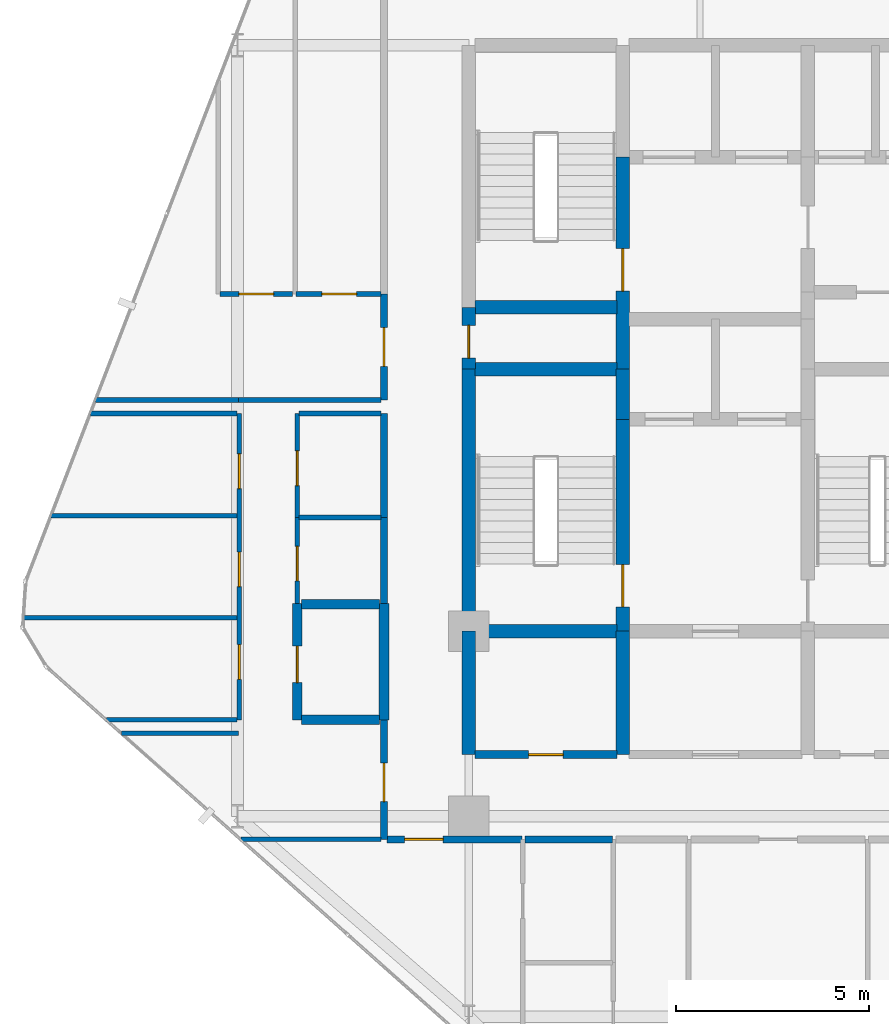
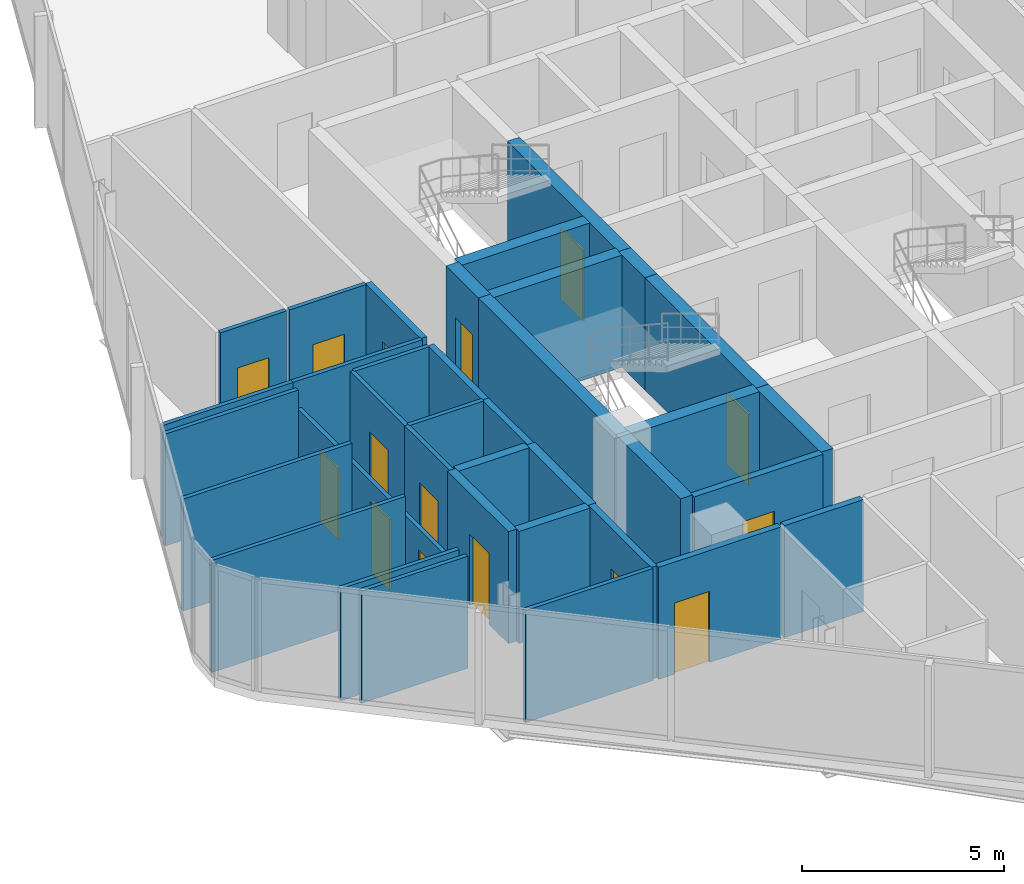
# One storey, part 23 of 29: 36 walls, 15 doors, 15 openings.
"""IFC4 building model written with IfcOpenShell, lengths in metres."""

from ifc_helpers import new_model, si_unit, direction, frame, frame_2d, origin, place, context, subcontext, project, spatial, rectangle, extrude, material, layer, layer_set, type_object, element, fill, save


model = new_model("IFC4")

# Units and contexts
model_context = context("Model", 3, precision=1e-05, world=origin(), true_north=direction((0.0, 1.0)))
body_context = subcontext(model_context, "Body", "Model", "MODEL_VIEW")
ifc_project = project(units=[si_unit("LENGTHUNIT", "METRE"), si_unit("AREAUNIT", "SQUARE_METRE"), si_unit("VOLUMEUNIT", "CUBIC_METRE"), si_unit("PLANEANGLEUNIT", "RADIAN"), si_unit("MASSUNIT", "GRAM", prefix="KILO")], contexts=[model_context])

# Site, building, storey
site_placement = place(None, origin())
site = spatial("IfcSite", under=ifc_project, at=site_placement, CompositionType="ELEMENT")
building_placement = place(site_placement, origin())
building = spatial("IfcBuilding", under=site, at=building_placement, Name="Keshet Zoharim Tower", CompositionType="ELEMENT")
storey_placement = place(building_placement, frame((0.0, 0.0, 94.60009765625)))
storey = spatial("IfcBuildingStorey", under=building, at=storey_placement, Name="L22", CompositionType="ELEMENT", Elevation=94.60009765625)

# Walls
ifc_material_1 = material(Name="Concrete C60/75", Category="concrete")
ifc_layer_1 = layer(ifc_material_1, 0.35009765625)
ifc_layer_set_1 = layer_set([ifc_layer_1], Name="Concrete C60/75")
wall_type_1 = type_object("IfcWallType", Name="WL-CORE-350", PredefinedType="SHEAR", material=ifc_layer_set_1)
wall_1_placement = place(storey_placement, frame((15.0, 19.5, 0.0), z_axis=(0.0, 0.0, 1.0), x_axis=(0.0, 1.0, 0.0)))
element("IfcWall", 1, at=wall_1_placement, inside=storey, type_object=wall_type_1, Name="L22 Core Shear Wall 013", PredefinedType="SHEAR", context=body_context, shape_type="SweptSolid", body=[
    extrude(rectangle(XDim=3.199951171875, YDim=0.35009765625, at=frame_2d((1.60009765625, 0.0))), origin(), (0.0, 0.0, 1.0), 3.385009765625),
])
wall_2_placement = place(storey_placement, frame((15.0, 22.699951171875, 0.0), z_axis=(0.0, 0.0, 1.0), x_axis=(0.0, 1.0, 0.0)))
element("IfcWall", 2, at=wall_2_placement, inside=storey, type_object=wall_type_1, Name="L22 Core Shear Wall 014", PredefinedType="SHEAR", context=body_context, shape_type="SweptSolid", body=[
    extrude(rectangle(XDim=6.800048828125, YDim=0.35009765625, at=frame_2d((3.39990234375, 0.0))), origin(), (0.0, 0.0, 1.0), 3.385009765625),
])

# Wall, opening, door
wall_3_placement = place(storey_placement, frame((15.0, 29.5, 0.0), z_axis=(0.0, 0.0, 1.0), x_axis=(0.0, 1.0, 0.0)))
wall_3 = element("IfcWall", 3, at=wall_3_placement, inside=storey, type_object=wall_type_1, Name="L22 Core Shear Wall 015", PredefinedType="SHEAR", context=body_context, shape_type="SweptSolid", body=[
    extrude(rectangle(XDim=1.60009765625, YDim=0.35009765625, at=frame_2d((0.800048828125, 0.0))), origin(), (0.0, 0.0, 1.0), 3.385009765625),
])
opening_1_placement = place(wall_3_placement, frame((0.287109375, 0.0, 0.0)))
opening_1 = element("IfcOpeningElement", 4, at=opening_1_placement, cuts=wall_3, Name="Opening D-RS85", PredefinedType="OPENING", context=body_context, shape_type="SweptSolid", body=[
    extrude(rectangle(XDim=0.85009765625, YDim=2.10009765625, at=frame_2d((0.425048828125, 1.050048828125))), frame((0.0, 0.18505859375, 0.0), z_axis=(0.0, -1.0, 0.0), x_axis=(1.0, 0.0, 0.0)), (0.0, 0.0, 1.0), 0.3701171875),
])
ifc_material_2 = material(Name="Hardwood Timber", Category="wood")
door_type_1 = type_object("IfcDoorType", Name="DR-RIS-085", OperationType="NOTDEFINED", PredefinedType="DOOR", material=ifc_material_2)
door_1_placement = place(opening_1_placement, origin())
door_1 = element("IfcDoor", 5, at=door_1_placement, inside=storey, type_object=door_type_1, Name="L22 Electrical Riser Access Cupboard Door", OperationType="SINGLE_SWING_RIGHT", OverallHeight=2.10009765625, OverallWidth=0.85009765625, PredefinedType="DOOR", context=body_context, shape_type="SweptSolid", body=[
    extrude(rectangle(XDim=0.85009765625, YDim=2.10009765625, at=frame_2d((0.425048828125, 1.050048828125))), frame((0.0, 0.02490234375, 0.0), z_axis=(0.0, -1.0, 0.0), x_axis=(1.0, 0.0, 0.0)), (0.0, 0.0, 1.0), 0.050048828125),
])
fill(opening_1, door_1)

# Wall
wall_4_placement = place(storey_placement, frame((19.0, 19.5, 0.0), z_axis=(0.0, 0.0, 1.0), x_axis=(0.0, 1.0, 0.0)))
element("IfcWall", 6, at=wall_4_placement, inside=storey, type_object=wall_type_1, Name="L22 Core Shear Wall 023", PredefinedType="SHEAR", context=body_context, shape_type="SweptSolid", body=[
    extrude(rectangle(XDim=3.199951171875, YDim=0.35009765625, at=frame_2d((1.60009765625, 0.0))), origin(), (0.0, 0.0, 1.0), 3.385009765625),
])

# Wall, opening, door
wall_5_placement = place(storey_placement, frame((19.0, 22.699951171875, 0.0), z_axis=(0.0, 0.0, 1.0), x_axis=(0.0, 1.0, 0.0)))
wall_5 = element("IfcWall", 7, at=wall_5_placement, inside=storey, type_object=wall_type_1, Name="L22 Core Shear Wall 024", PredefinedType="SHEAR", context=body_context, shape_type="SweptSolid", body=[
    extrude(rectangle(XDim=5.5, YDim=0.35009765625, at=frame_2d((2.75, 0.0))), origin(), (0.0, 0.0, 1.0), 3.385009765625),
])
opening_2_placement = place(wall_5_placement, frame((0.631103515625, 0.0, 0.0)))
opening_2 = element("IfcOpeningElement", 8, at=opening_2_placement, cuts=wall_5, Name="Opening D-F611", PredefinedType="OPENING", context=body_context, shape_type="SweptSolid", body=[
    extrude(rectangle(XDim=1.10009765625, YDim=2.14990234375, at=frame_2d((0.550048828125, 1.074951171875))), frame((0.0, 0.18505859375, 0.0), z_axis=(0.0, -1.0, 0.0), x_axis=(1.0, 0.0, 0.0)), (0.0, 0.0, 1.0), 0.3701171875),
])
door_type_2 = type_object("IfcDoorType", Name="DR-FD60-110", OperationType="NOTDEFINED", PredefinedType="DOOR", material=ifc_material_2)
door_2_placement = place(opening_2_placement, origin())
door_2 = element("IfcDoor", 9, at=door_2_placement, inside=storey, type_object=door_type_2, Name="L22 Exit Stair ST-01 Fire Door", OperationType="SINGLE_SWING_RIGHT", OverallHeight=2.14990234375, OverallWidth=1.10009765625, PredefinedType="DOOR", context=body_context, shape_type="SweptSolid", body=[
    extrude(rectangle(XDim=1.10009765625, YDim=2.14990234375, at=frame_2d((0.550048828125, 1.074951171875))), frame((0.0, 0.02490234375, 0.0), z_axis=(0.0, -1.0, 0.0), x_axis=(1.0, 0.0, 0.0)), (0.0, 0.0, 1.0), 0.050048828125),
])
fill(opening_2, door_2)

# Wall
wall_6_placement = place(storey_placement, frame((19.0, 28.199951171875, 0.0), z_axis=(0.0, 0.0, 1.0), x_axis=(0.0, 1.0, 0.0)))
element("IfcWall", 10, at=wall_6_placement, inside=storey, type_object=wall_type_1, Name="L22 Core Shear Wall 025", PredefinedType="SHEAR", context=body_context, shape_type="SweptSolid", body=[
    extrude(rectangle(XDim=1.300048828125, YDim=0.35009765625, at=frame_2d((0.64990234375, 0.0))), origin(), (0.0, 0.0, 1.0), 3.385009765625),
])

# Wall, opening, door
wall_7_placement = place(storey_placement, frame((19.0, 29.5, 0.0), z_axis=(0.0, 0.0, 1.0), x_axis=(0.0, 1.0, 0.0)))
wall_7 = element("IfcWall", 11, at=wall_7_placement, inside=storey, type_object=wall_type_1, Name="L22 Core Shear Wall 026", PredefinedType="SHEAR", context=body_context, shape_type="SweptSolid", body=[
    extrude(rectangle(XDim=5.5, YDim=0.35009765625, at=frame_2d((2.75, 0.0))), origin(), (0.0, 0.0, 1.0), 3.385009765625),
])
opening_3_placement = place(wall_7_placement, frame((2.02490234375, 0.0, 0.0)))
opening_3 = element("IfcOpeningElement", 12, at=opening_3_placement, cuts=wall_7, Name="Opening D-F611", PredefinedType="OPENING", context=body_context, shape_type="SweptSolid", body=[
    extrude(rectangle(XDim=1.10009765625, YDim=2.14990234375, at=frame_2d((0.550048828125, 1.074951171875))), frame((0.0, 0.18505859375, 0.0), z_axis=(0.0, -1.0, 0.0), x_axis=(1.0, 0.0, 0.0)), (0.0, 0.0, 1.0), 0.3701171875),
])
door_3_placement = place(opening_3_placement, origin())
door_3 = element("IfcDoor", 13, at=door_3_placement, inside=storey, type_object=door_type_2, Name="L22 Exit Stair ST-02 Fire Door", OperationType="SINGLE_SWING_LEFT", OverallHeight=2.14990234375, OverallWidth=1.10009765625, PredefinedType="DOOR", context=body_context, shape_type="SweptSolid", body=[
    extrude(rectangle(XDim=1.10009765625, YDim=2.14990234375, at=frame_2d((0.550048828125, 1.074951171875))), frame((0.0, 0.02490234375, 0.0), z_axis=(0.0, -1.0, 0.0), x_axis=(1.0, 0.0, 0.0)), (0.0, 0.0, 1.0), 0.050048828125),
])
fill(opening_3, door_3)

# Walls
for number, where, z_axis, x_axis, name in (
    (14, (15.159912109375, 22.699951171875, 0.0), (0.0, 0.0, 1.0), (1.0, 0.0, 0.0), "L22 Core Shear Wall 157"),
    (15, (15.159912109375, 29.5, 0.0), (0.0, 0.0, 1.0), (1.0, 0.0, 0.0), "L22 Core Shear Wall 175"),
    (16, (15.159912109375, 31.10009765625, 0.0), (0.0, 0.0, 1.0), (1.0, 0.0, 0.0), "L22 Core Shear Wall 178"),
):
    element("IfcWall", number, at=place(storey_placement, frame(where, z_axis=z_axis, x_axis=x_axis)), inside=storey, type_object=wall_type_1, Name=name, PredefinedType="SHEAR", context=body_context, shape_type="SweptSolid", body=[
        extrude(rectangle(XDim=3.68017578125, YDim=0.35009765625, at=frame_2d((1.840087890625, 0.0))), origin(), (0.0, 0.0, 1.0), 3.385009765625),
    ])

# Wall, opening, door
ifc_material_3 = material(Name="Gypsum Plasterboard", Category="gypsum")
ifc_layer_2 = layer(ifc_material_3, 0.179931640625)
ifc_layer_set_2 = layer_set([ifc_layer_2], Name="Gypsum Plasterboard")
wall_type_2 = type_object("IfcWallType", Name="WL-CORR-180", PredefinedType="STANDARD", material=ifc_layer_set_2)
wall_8_placement = place(storey_placement, frame((12.800048828125, 17.300048828125, 0.0), z_axis=(0.0, 0.0, 1.0), x_axis=(0.0, 1.0, 0.0)))
wall_8 = element("IfcWall", 17, at=wall_8_placement, inside=storey, type_object=wall_type_2, Name="L22 Interior Wall 007", PredefinedType="STANDARD", context=body_context, shape_type="SweptSolid", body=[
    extrude(rectangle(XDim=3.099853515625, YDim=0.179931640625, at=frame_2d((1.5498046875, 0.0))), origin(), (0.0, 0.0, 1.0), 3.385009765625),
])
opening_4_placement = place(wall_8_placement, frame((0.97802734375, 0.0, 0.0)))
opening_4 = element("IfcOpeningElement", 18, at=opening_4_placement, cuts=wall_8, Name="Opening D-F310", PredefinedType="OPENING", context=body_context, shape_type="SweptSolid", body=[
    extrude(rectangle(XDim=1.0, YDim=2.14990234375, at=frame_2d((0.5, 1.074951171875))), frame((0.0, 0.10009765625, 0.0), z_axis=(0.0, -1.0, 0.0), x_axis=(1.0, 0.0, 0.0)), (0.0, 0.0, 1.0), 0.199951171875),
])
door_type_3 = type_object("IfcDoorType", Name="DR-FD30-100", OperationType="NOTDEFINED", PredefinedType="DOOR", material=ifc_material_2)
door_4_placement = place(opening_4_placement, origin())
door_4 = element("IfcDoor", 19, at=door_4_placement, inside=storey, type_object=door_type_3, Name="Apartment 2209 Entrance Door", OperationType="SINGLE_SWING_RIGHT", OverallHeight=2.14990234375, OverallWidth=1.0, PredefinedType="DOOR", context=body_context, shape_type="SweptSolid", body=[
    extrude(rectangle(XDim=1.0, YDim=2.14990234375, at=frame_2d((0.5, 1.074951171875))), frame((0.0, 0.02490234375, 0.0), z_axis=(0.0, -1.0, 0.0), x_axis=(1.0, 0.0, 0.0)), (0.0, 0.0, 1.0), 0.050048828125),
])
fill(opening_4, door_4)

# Walls
wall_9_placement = place(storey_placement, frame((12.800048828125, 23.4208984375, 0.0), z_axis=(0.0, 0.0, 1.0), x_axis=(0.0, 1.0, 0.0)))
element("IfcWall", 20, at=wall_9_placement, inside=storey, type_object=wall_type_2, Name="L22 Interior Wall 009", PredefinedType="STANDARD", context=body_context, shape_type="SweptSolid", body=[
    extrude(rectangle(XDim=2.22607421875, YDim=0.179931640625, at=frame_2d((1.113037109375, 0.0))), origin(), (0.0, 0.0, 1.0), 3.385009765625),
])
wall_10_placement = place(storey_placement, frame((12.800048828125, 25.64697265625, 0.0), z_axis=(0.0, 0.0, 1.0), x_axis=(0.0, 1.0, 0.0)))
element("IfcWall", 21, at=wall_10_placement, inside=storey, type_object=wall_type_2, Name="L22 Interior Wall 010", PredefinedType="STANDARD", context=body_context, shape_type="SweptSolid", body=[
    extrude(rectangle(XDim=2.703125, YDim=0.179931640625, at=frame_2d((1.3515625, 0.0))), origin(), (0.0, 0.0, 1.0), 3.385009765625),
])

# Wall, opening, door
wall_11_placement = place(storey_placement, frame((12.800048828125, 28.699951171875, 0.0), z_axis=(0.0, 0.0, 1.0), x_axis=(0.0, 1.0, 0.0)))
wall_11 = element("IfcWall", 22, at=wall_11_placement, inside=storey, type_object=wall_type_2, Name="L22 Interior Wall 011", PredefinedType="STANDARD", context=body_context, shape_type="SweptSolid", body=[
    extrude(rectangle(XDim=2.75, YDim=0.179931640625, at=frame_2d((1.375, 0.0))), origin(), (0.0, 0.0, 1.0), 3.385009765625),
])
opening_5_placement = place(wall_11_placement, frame((0.875, 0.0, 0.0)))
opening_5 = element("IfcOpeningElement", 23, at=opening_5_placement, cuts=wall_11, Name="Opening D-F310", PredefinedType="OPENING", context=body_context, shape_type="SweptSolid", body=[
    extrude(rectangle(XDim=1.0, YDim=2.14990234375, at=frame_2d((0.5, 1.074951171875))), frame((0.0, 0.10009765625, 0.0), z_axis=(0.0, -1.0, 0.0), x_axis=(1.0, 0.0, 0.0)), (0.0, 0.0, 1.0), 0.199951171875),
])
door_5_placement = place(opening_5_placement, origin())
door_5 = element("IfcDoor", 24, at=door_5_placement, inside=storey, type_object=door_type_3, Name="Apartment 2210 Entrance Door", OperationType="SINGLE_SWING_LEFT", OverallHeight=2.14990234375, OverallWidth=1.0, PredefinedType="DOOR", context=body_context, shape_type="SweptSolid", body=[
    extrude(rectangle(XDim=1.0, YDim=2.14990234375, at=frame_2d((0.5, 1.074951171875))), frame((0.0, 0.02490234375, 0.0), z_axis=(0.0, -1.0, 0.0), x_axis=(1.0, 0.0, 0.0)), (0.0, 0.0, 1.0), 0.050048828125),
])
fill(opening_5, door_5)

wall_12_placement = place(storey_placement, frame((12.875, 17.300048828125, 0.0), z_axis=(0.0, 0.0, 1.0), x_axis=(1.0, 0.0, 0.0)))
wall_12 = element("IfcWall", 25, at=wall_12_placement, inside=storey, type_object=wall_type_2, Name="L22 Interior Wall 135", PredefinedType="STANDARD", context=body_context, shape_type="SweptSolid", body=[
    extrude(rectangle(XDim=3.5, YDim=0.179931640625, at=frame_2d((1.75, 0.0))), origin(), (0.0, 0.0, 1.0), 3.385009765625),
])
opening_6_placement = place(wall_12_placement, frame((0.458984375, 0.0, 0.0)))
opening_6 = element("IfcOpeningElement", 26, at=opening_6_placement, cuts=wall_12, Name="Opening D-F310", PredefinedType="OPENING", context=body_context, shape_type="SweptSolid", body=[
    extrude(rectangle(XDim=1.0, YDim=2.14990234375, at=frame_2d((0.5, 1.074951171875))), frame((0.0, 0.10009765625, 0.0), z_axis=(0.0, -1.0, 0.0), x_axis=(1.0, 0.0, 0.0)), (0.0, 0.0, 1.0), 0.199951171875),
])
door_6_placement = place(opening_6_placement, origin())
door_6 = element("IfcDoor", 27, at=door_6_placement, inside=storey, type_object=door_type_3, Name="Apartment 2201 Entrance Door", OperationType="SINGLE_SWING_LEFT", OverallHeight=2.14990234375, OverallWidth=1.0, PredefinedType="DOOR", context=body_context, shape_type="SweptSolid", body=[
    extrude(rectangle(XDim=1.0, YDim=2.14990234375, at=frame_2d((0.5, 1.074951171875))), frame((0.0, 0.02490234375, 0.0), z_axis=(0.0, -1.0, 0.0), x_axis=(1.0, 0.0, 0.0)), (0.0, 0.0, 1.0), 0.050048828125),
])
fill(opening_6, door_6)

# Wall
wall_13_placement = place(storey_placement, frame((16.465087890625, 17.300048828125, 0.0), z_axis=(0.0, 0.0, 1.0), x_axis=(1.0, 0.0, 0.0)))
element("IfcWall", 28, at=wall_13_placement, inside=storey, type_object=wall_type_2, Name="L22 Interior Wall 136", PredefinedType="STANDARD", context=body_context, shape_type="SweptSolid", body=[
    extrude(rectangle(XDim=2.260009765625, YDim=0.179931640625, at=frame_2d((1.1298828125, 0.0))), origin(), (0.0, 0.0, 1.0), 3.385009765625),
])

# Wall, opening, door
ifc_material_4 = material(Name="Concrete C50/60", Category="concrete")
ifc_layer_3 = layer(ifc_material_4, 0.199951171875)
ifc_layer_set_3 = layer_set([ifc_layer_3], Name="Concrete C50/60")
wall_type_3 = type_object("IfcWallType", Name="WL-FIRE-200", PredefinedType="STANDARD", material=ifc_layer_set_3)
wall_14_placement = place(storey_placement, frame((15.159912109375, 19.5, 0.0), z_axis=(0.0, 0.0, 1.0), x_axis=(1.0, 0.0, 0.0)))
wall_14 = element("IfcWall", 29, at=wall_14_placement, inside=storey, type_object=wall_type_3, Name="L22 Interior Wall 149", PredefinedType="STANDARD", context=body_context, shape_type="SweptSolid", body=[
    extrude(rectangle(XDim=3.68017578125, YDim=0.199951171875, at=frame_2d((1.840087890625, 0.0))), origin(), (0.0, 0.0, 1.0), 3.385009765625),
])
opening_7_placement = place(wall_14_placement, frame((1.389892578125, 0.0, 0.0)))
opening_7 = element("IfcOpeningElement", 30, at=opening_7_placement, cuts=wall_14, Name="Opening D-F690", PredefinedType="OPENING", context=body_context, shape_type="SweptSolid", body=[
    extrude(rectangle(XDim=0.89990234375, YDim=2.14990234375, at=frame_2d((0.449951171875, 1.074951171875))), frame((0.0, 0.10986328125, 0.0), z_axis=(0.0, -1.0, 0.0), x_axis=(1.0, 0.0, 0.0)), (0.0, 0.0, 1.0), 0.219970703125),
])
door_type_4 = type_object("IfcDoorType", Name="DR-FD60-090", OperationType="NOTDEFINED", PredefinedType="DOOR", material=ifc_material_2)
door_7_placement = place(opening_7_placement, origin())
door_7 = element("IfcDoor", 31, at=door_7_placement, inside=storey, type_object=door_type_4, Name="L22 Pram Store Door", OperationType="SINGLE_SWING_LEFT", OverallHeight=2.14990234375, OverallWidth=0.89990234375, PredefinedType="DOOR", context=body_context, shape_type="SweptSolid", body=[
    extrude(rectangle(XDim=0.89990234375, YDim=2.14990234375, at=frame_2d((0.449951171875, 1.074951171875))), frame((0.0, 0.02490234375, 0.0), z_axis=(0.0, -1.0, 0.0), x_axis=(1.0, 0.0, 0.0)), (0.0, 0.0, 1.0), 0.050048828125),
])
fill(opening_7, door_7)

ifc_layer_4 = layer(ifc_material_4, 0.25)
ifc_layer_set_4 = layer_set([ifc_layer_4], Name="Concrete C50/60")
wall_type_4 = type_object("IfcWallType", Name="WL-MAMAD-250", PredefinedType="STANDARD", material=ifc_layer_set_4)
wall_15_placement = place(storey_placement, frame((10.550048828125, 20.39990234375, 0.0), z_axis=(0.0, 0.0, 1.0), x_axis=(0.0, 1.0, 0.0)))
wall_15 = element("IfcWall", 32, at=wall_15_placement, inside=storey, type_object=wall_type_4, Name="L22 Interior Wall 004", PredefinedType="STANDARD", context=body_context, shape_type="SweptSolid", body=[
    extrude(rectangle(XDim=3.02099609375, YDim=0.25, at=frame_2d((1.510498046875, 0.0))), origin(), (0.0, 0.0, 1.0), 3.385009765625),
])
opening_8_placement = place(wall_15_placement, frame((0.964111328125, 0.0, 0.0)))
opening_8 = element("IfcOpeningElement", 33, at=opening_8_placement, cuts=wall_15, Name="Opening D-F695", PredefinedType="OPENING", context=body_context, shape_type="SweptSolid", body=[
    extrude(rectangle(XDim=0.949951171875, YDim=2.14990234375, at=frame_2d((0.47509765625, 1.074951171875))), frame((0.0, 0.135009765625, 0.0), z_axis=(0.0, -1.0, 0.0), x_axis=(1.0, 0.0, 0.0)), (0.0, 0.0, 1.0), 0.27001953125),
])
door_type_5 = type_object("IfcDoorType", Name="DR-FD60-095", OperationType="NOTDEFINED", PredefinedType="DOOR", material=ifc_material_2)
door_8_placement = place(opening_8_placement, origin())
door_8 = element("IfcDoor", 34, at=door_8_placement, inside=storey, type_object=door_type_5, Name="Apartment 2209 Study and Shelter Room Door", OperationType="SINGLE_SWING_LEFT", OverallHeight=2.14990234375, OverallWidth=0.949951171875, PredefinedType="DOOR", context=body_context, shape_type="SweptSolid", body=[
    extrude(rectangle(XDim=0.949951171875, YDim=2.14990234375, at=frame_2d((0.47509765625, 1.074951171875))), frame((0.0, 0.02490234375, 0.0), z_axis=(0.0, -1.0, 0.0), x_axis=(1.0, 0.0, 0.0)), (0.0, 0.0, 1.0), 0.050048828125),
])
fill(opening_8, door_8)

# Walls
wall_16_placement = place(storey_placement, frame((12.800048828125, 20.39990234375, 0.0), z_axis=(0.0, 0.0, 1.0), x_axis=(0.0, 1.0, 0.0)))
element("IfcWall", 35, at=wall_16_placement, inside=storey, type_object=wall_type_4, Name="L22 Interior Wall 008", PredefinedType="STANDARD", context=body_context, shape_type="SweptSolid", body=[
    extrude(rectangle(XDim=3.02099609375, YDim=0.25, at=frame_2d((1.510498046875, 0.0))), origin(), (0.0, 0.0, 1.0), 3.385009765625),
])
for number, where, z_axis, x_axis, name in (
    (36, (10.659912109375, 20.39990234375, 0.0), (0.0, 0.0, 1.0), (1.0, 0.0, 0.0), "L22 Interior Wall 156"),
    (37, (10.659912109375, 23.39990234375, 0.0), (0.0, 0.0, 1.0), (1.0, 0.0, 0.0), "L22 Interior Wall 163"),
):
    element("IfcWall", number, at=place(storey_placement, frame(where, z_axis=z_axis, x_axis=x_axis)), inside=storey, type_object=wall_type_4, Name=name, PredefinedType="STANDARD", context=body_context, shape_type="SweptSolid", body=[
        extrude(rectangle(XDim=2.030029296875, YDim=0.25, at=frame_2d((1.01513671875, 0.0))), origin(), (0.0, 0.0, 1.0), 3.385009765625),
    ])

# Wall, openings, doors
ifc_layer_5 = layer(ifc_material_3, 0.1201171875)
ifc_layer_set_5 = layer_set([ifc_layer_5], Name="Gypsum Plasterboard")
wall_type_5 = type_object("IfcWallType", Name="WL-PART-120", PredefinedType="PARTITIONING", material=ifc_layer_set_5)
wall_17_placement = place(storey_placement, frame((9.050048828125, 20.39990234375, 0.0), z_axis=(0.0, 0.0, 1.0), x_axis=(0.0, 1.0, 0.0)))
wall_17 = element("IfcWall", 38, at=wall_17_placement, inside=storey, type_object=wall_type_5, Name="L22 Interior Wall 002", PredefinedType="PARTITIONING", context=body_context, shape_type="SweptSolid", body=[
    extrude(rectangle(XDim=7.9501953125, YDim=0.1201171875, at=frame_2d((3.97509765625, 0.0))), origin(), (0.0, 0.0, 1.0), 2.784912109375),
])
opening_9_placement = place(wall_17_placement, frame((1.050048828125, 0.0, 0.0)))
opening_9 = element("IfcOpeningElement", 39, at=opening_9_placement, cuts=wall_17, Name="Opening D-IN90", PredefinedType="OPENING", context=body_context, shape_type="SweptSolid", body=[
    extrude(rectangle(XDim=0.89990234375, YDim=2.14990234375, at=frame_2d((0.449951171875, 1.074951171875))), frame((0.0, 0.070068359375, 0.0), z_axis=(0.0, -1.0, 0.0), x_axis=(1.0, 0.0, 0.0)), (0.0, 0.0, 1.0), 0.14013671875),
])
opening_10_placement = place(wall_17_placement, frame((3.455078125, 0.0, 0.0)))
opening_10 = element("IfcOpeningElement", 40, at=opening_10_placement, cuts=wall_17, Name="Opening D-IN90", PredefinedType="OPENING", context=body_context, shape_type="SweptSolid", body=[
    extrude(rectangle(XDim=0.89990234375, YDim=2.14990234375, at=frame_2d((0.449951171875, 1.074951171875))), frame((0.0, 0.070068359375, 0.0), z_axis=(0.0, -1.0, 0.0), x_axis=(1.0, 0.0, 0.0)), (0.0, 0.0, 1.0), 0.14013671875),
])
opening_11_placement = place(wall_17_placement, frame((6.0, 0.0, 0.0)))
opening_11 = element("IfcOpeningElement", 41, at=opening_11_placement, cuts=wall_17, Name="Opening D-IN90", PredefinedType="OPENING", context=body_context, shape_type="SweptSolid", body=[
    extrude(rectangle(XDim=0.89990234375, YDim=2.14990234375, at=frame_2d((0.449951171875, 1.074951171875))), frame((0.0, 0.070068359375, 0.0), z_axis=(0.0, -1.0, 0.0), x_axis=(1.0, 0.0, 0.0)), (0.0, 0.0, 1.0), 0.14013671875),
])
door_type_6 = type_object("IfcDoorType", Name="DR-INT-090", OperationType="NOTDEFINED", PredefinedType="DOOR", material=ifc_material_2)
door_9_placement = place(opening_9_placement, origin())
door_9 = element("IfcDoor", 42, at=door_9_placement, inside=storey, type_object=door_type_6, Name="Apartment 2209 Bedroom 1 Door", OperationType="SINGLE_SWING_RIGHT", OverallHeight=2.14990234375, OverallWidth=0.89990234375, PredefinedType="DOOR", context=body_context, shape_type="SweptSolid", body=[
    extrude(rectangle(XDim=0.89990234375, YDim=2.14990234375, at=frame_2d((0.449951171875, 1.074951171875))), frame((0.0, 0.02490234375, 0.0), z_axis=(0.0, -1.0, 0.0), x_axis=(1.0, 0.0, 0.0)), (0.0, 0.0, 1.0), 0.050048828125),
])
fill(opening_9, door_9)
door_10_placement = place(opening_10_placement, origin())
door_10 = element("IfcDoor", 43, at=door_10_placement, inside=storey, type_object=door_type_6, Name="Apartment 2209 Bedroom 2 Door", OperationType="SINGLE_SWING_LEFT", OverallHeight=2.14990234375, OverallWidth=0.89990234375, PredefinedType="DOOR", context=body_context, shape_type="SweptSolid", body=[
    extrude(rectangle(XDim=0.89990234375, YDim=2.14990234375, at=frame_2d((0.449951171875, 1.074951171875))), frame((0.0, 0.02490234375, 0.0), z_axis=(0.0, -1.0, 0.0), x_axis=(1.0, 0.0, 0.0)), (0.0, 0.0, 1.0), 0.050048828125),
])
fill(opening_10, door_10)
door_11_placement = place(opening_11_placement, origin())
door_11 = element("IfcDoor", 44, at=door_11_placement, inside=storey, type_object=door_type_6, Name="Apartment 2209 Bedroom 3 Door", OperationType="SINGLE_SWING_RIGHT", OverallHeight=2.14990234375, OverallWidth=0.89990234375, PredefinedType="DOOR", context=body_context, shape_type="SweptSolid", body=[
    extrude(rectangle(XDim=0.89990234375, YDim=2.14990234375, at=frame_2d((0.449951171875, 1.074951171875))), frame((0.0, 0.02490234375, 0.0), z_axis=(0.0, -1.0, 0.0), x_axis=(1.0, 0.0, 0.0)), (0.0, 0.0, 1.0), 0.050048828125),
])
fill(opening_11, door_11)

# Wall, opening, door
wall_18_placement = place(storey_placement, frame((10.550048828125, 25.64697265625, 0.0), z_axis=(0.0, 0.0, 1.0), x_axis=(0.0, 1.0, 0.0)))
wall_18 = element("IfcWall", 45, at=wall_18_placement, inside=storey, type_object=wall_type_5, Name="L22 Interior Wall 006", PredefinedType="PARTITIONING", context=body_context, shape_type="SweptSolid", body=[
    extrude(rectangle(XDim=2.703125, YDim=0.1201171875, at=frame_2d((1.3515625, 0.0))), origin(), (0.0, 0.0, 1.0), 3.385009765625),
])
opening_12_placement = place(wall_18_placement, frame((0.830078125, 0.0, 0.0)))
opening_12 = element("IfcOpeningElement", 46, at=opening_12_placement, cuts=wall_18, Name="Opening D-IN90", PredefinedType="OPENING", context=body_context, shape_type="SweptSolid", body=[
    extrude(rectangle(XDim=0.89990234375, YDim=2.14990234375, at=frame_2d((0.449951171875, 1.074951171875))), frame((0.0, 0.070068359375, 0.0), z_axis=(0.0, -1.0, 0.0), x_axis=(1.0, 0.0, 0.0)), (0.0, 0.0, 1.0), 0.14013671875),
])
door_12_placement = place(opening_12_placement, origin())
door_12 = element("IfcDoor", 47, at=door_12_placement, inside=storey, type_object=door_type_6, Name="Apartment 2209 Kitchen Door", OperationType="SINGLE_SWING_LEFT", OverallHeight=2.14990234375, OverallWidth=0.89990234375, PredefinedType="DOOR", context=body_context, shape_type="SweptSolid", body=[
    extrude(rectangle(XDim=0.89990234375, YDim=2.14990234375, at=frame_2d((0.449951171875, 1.074951171875))), frame((0.0, 0.02490234375, 0.0), z_axis=(0.0, -1.0, 0.0), x_axis=(1.0, 0.0, 0.0)), (0.0, 0.0, 1.0), 0.050048828125),
])
fill(opening_12, door_12)

# Walls
wall_19_placement = place(storey_placement, frame((9.0849609375, 17.300048828125, 0.0), z_axis=(0.0, 0.0, 1.0), x_axis=(1.0, 0.0, 0.0)))
element("IfcWall", 48, at=wall_19_placement, inside=storey, type_object=wall_type_5, Name="L22 Interior Wall 134", PredefinedType="PARTITIONING", context=body_context, shape_type="SweptSolid", body=[
    extrude(rectangle(XDim=3.64013671875, YDim=0.1201171875, at=frame_2d((1.820068359375, 0.0))), origin(), (0.0, 0.0, 1.0), 3.385009765625),
])
wall_20_placement = place(storey_placement, frame((5.990966796875, 20.050048828125, 0.0), z_axis=(0.0, 0.0, 1.0), x_axis=(1.0, 0.0, 0.0)))
element("IfcWall", 49, at=wall_20_placement, inside=storey, type_object=wall_type_5, Name="L22 Interior Wall 154", PredefinedType="PARTITIONING", context=body_context, shape_type="SweptSolid", body=[
    extrude(rectangle(XDim=3.0390625, YDim=0.1201171875, at=frame_2d((1.51953125, 0.0))), origin(), (0.0, 0.0, 1.0), 3.385009765625),
])
wall_21_placement = place(storey_placement, frame((5.596923828125, 20.39990234375, 0.0), z_axis=(0.0, 0.0, 1.0), x_axis=(1.0, 0.0, 0.0)))
element("IfcWall", 50, at=wall_21_placement, inside=storey, type_object=wall_type_5, Name="L22 Interior Wall 155", PredefinedType="PARTITIONING", context=body_context, shape_type="SweptSolid", body=[
    extrude(rectangle(XDim=3.38818359375, YDim=0.1201171875, at=frame_2d((1.694091796875, 0.0))), origin(), (0.0, 0.0, 1.0), 3.385009765625),
])
wall_22_placement = place(storey_placement, frame((3.446044921875, 23.050048828125, 0.0), z_axis=(0.0, 0.0, 1.0), x_axis=(1.0, 0.0, 0.0)))
element("IfcWall", 51, at=wall_22_placement, inside=storey, type_object=wall_type_5, Name="L22 Interior Wall 162", PredefinedType="PARTITIONING", context=body_context, shape_type="SweptSolid", body=[
    extrude(rectangle(XDim=5.5390625, YDim=0.1201171875, at=frame_2d((2.76953125, 0.0))), origin(), (0.0, 0.0, 1.0), 3.385009765625),
])
wall_23_placement = place(storey_placement, frame((4.1640625, 25.699951171875, 0.0), z_axis=(0.0, 0.0, 1.0), x_axis=(1.0, 0.0, 0.0)))
element("IfcWall", 52, at=wall_23_placement, inside=storey, type_object=wall_type_5, Name="L22 Interior Wall 166", PredefinedType="PARTITIONING", context=body_context, shape_type="SweptSolid", body=[
    extrude(rectangle(XDim=4.821044921875, YDim=0.1201171875, at=frame_2d((2.41064453125, 0.0))), origin(), (0.0, 0.0, 1.0), 3.385009765625),
])
wall_24_placement = place(storey_placement, frame((5.18310546875, 28.35009765625, 0.0), z_axis=(0.0, 0.0, 1.0), x_axis=(1.0, 0.0, 0.0)))
element("IfcWall", 53, at=wall_24_placement, inside=storey, type_object=wall_type_5, Name="L22 Interior Wall 170", PredefinedType="PARTITIONING", context=body_context, shape_type="SweptSolid", body=[
    extrude(rectangle(XDim=3.802001953125, YDim=0.1201171875, at=frame_2d((1.90087890625, 0.0))), origin(), (0.0, 0.0, 1.0), 3.385009765625),
])
wall_25_placement = place(storey_placement, frame((10.594970703125, 28.35009765625, 0.0), z_axis=(0.0, 0.0, 1.0), x_axis=(1.0, 0.0, 0.0)))
element("IfcWall", 54, at=wall_25_placement, inside=storey, type_object=wall_type_5, Name="L22 Interior Wall 171", PredefinedType="PARTITIONING", context=body_context, shape_type="SweptSolid", body=[
    extrude(rectangle(XDim=2.130126953125, YDim=0.1201171875, at=frame_2d((1.06494140625, 0.0))), origin(), (0.0, 0.0, 1.0), 3.385009765625),
])
wall_26_placement = place(storey_placement, frame((5.31689453125, 28.699951171875, 0.0), z_axis=(0.0, 0.0, 1.0), x_axis=(1.0, 0.0, 0.0)))
element("IfcWall", 55, at=wall_26_placement, inside=storey, type_object=wall_type_5, Name="L22 Interior Wall 172", PredefinedType="PARTITIONING", context=body_context, shape_type="SweptSolid", body=[
    extrude(rectangle(XDim=3.713134765625, YDim=0.1201171875, at=frame_2d((1.8564453125, 0.0))), origin(), (0.0, 0.0, 1.0), 3.385009765625),
])
wall_27_placement = place(storey_placement, frame((9.030029296875, 28.699951171875, 0.0), z_axis=(0.0, 0.0, 1.0), x_axis=(1.0, 0.0, 0.0)))
element("IfcWall", 56, at=wall_27_placement, inside=storey, type_object=wall_type_5, Name="L22 Interior Wall 173", PredefinedType="PARTITIONING", context=body_context, shape_type="SweptSolid", body=[
    extrude(rectangle(XDim=3.695068359375, YDim=0.1201171875, at=frame_2d((1.84765625, 0.0))), origin(), (0.0, 0.0, 1.0), 3.385009765625),
])

# Wall, opening, door
wall_28_placement = place(storey_placement, frame((8.544921875, 31.449951171875, 0.0), z_axis=(0.0, 0.0, 1.0), x_axis=(1.0, 0.0, 0.0)))
wall_28 = element("IfcWall", 57, at=wall_28_placement, inside=storey, type_object=wall_type_5, Name="L22 Interior Wall 179", PredefinedType="PARTITIONING", context=body_context, shape_type="SweptSolid", body=[
    extrude(rectangle(XDim=1.88818359375, YDim=0.1201171875, at=frame_2d((0.944091796875, 0.0))), origin(), (0.0, 0.0, 1.0), 3.385009765625),
])
opening_13_placement = place(wall_28_placement, frame((0.493896484375, 0.0, 0.0)))
opening_13 = element("IfcOpeningElement", 58, at=opening_13_placement, cuts=wall_28, Name="Opening D-IN90", PredefinedType="OPENING", context=body_context, shape_type="SweptSolid", body=[
    extrude(rectangle(XDim=0.89990234375, YDim=2.14990234375, at=frame_2d((0.449951171875, 1.074951171875))), frame((0.0, 0.070068359375, 0.0), z_axis=(0.0, -1.0, 0.0), x_axis=(1.0, 0.0, 0.0)), (0.0, 0.0, 1.0), 0.14013671875),
])
door_13_placement = place(opening_13_placement, origin())
door_13 = element("IfcDoor", 59, at=door_13_placement, inside=storey, type_object=door_type_6, Name="Apartment 2210 Kitchen Door", OperationType="SINGLE_SWING_RIGHT", OverallHeight=2.14990234375, OverallWidth=0.89990234375, PredefinedType="DOOR", context=body_context, shape_type="SweptSolid", body=[
    extrude(rectangle(XDim=0.89990234375, YDim=2.14990234375, at=frame_2d((0.449951171875, 1.074951171875))), frame((0.0, 0.02490234375, 0.0), z_axis=(0.0, -1.0, 0.0), x_axis=(1.0, 0.0, 0.0)), (0.0, 0.0, 1.0), 0.050048828125),
])
fill(opening_13, door_13)

ifc_layer_6 = layer(ifc_material_3, 0.1201171875)
ifc_layer_set_6 = layer_set([ifc_layer_6], Name="Gypsum Plasterboard")
wall_type_6 = type_object("IfcWallType", Name="WL-WET-120", PredefinedType="PARTITIONING", material=ifc_layer_set_6)
wall_29_placement = place(storey_placement, frame((10.550048828125, 23.4208984375, 0.0), z_axis=(0.0, 0.0, 1.0), x_axis=(0.0, 1.0, 0.0)))
wall_29 = element("IfcWall", 60, at=wall_29_placement, inside=storey, type_object=wall_type_6, Name="L22 Interior Wall 005", PredefinedType="PARTITIONING", context=body_context, shape_type="SweptSolid", body=[
    extrude(rectangle(XDim=2.22607421875, YDim=0.1201171875, at=frame_2d((1.113037109375, 0.0))), origin(), (0.0, 0.0, 1.0), 3.385009765625),
])
opening_14_placement = place(wall_29_placement, frame((0.583984375, 0.0, 0.0)))
opening_14 = element("IfcOpeningElement", 61, at=opening_14_placement, cuts=wall_29, Name="Opening D-WT90", PredefinedType="OPENING", context=body_context, shape_type="SweptSolid", body=[
    extrude(rectangle(XDim=0.89990234375, YDim=2.10009765625, at=frame_2d((0.449951171875, 1.050048828125))), frame((0.0, 0.070068359375, 0.0), z_axis=(0.0, -1.0, 0.0), x_axis=(1.0, 0.0, 0.0)), (0.0, 0.0, 1.0), 0.14013671875),
])
door_type_7 = type_object("IfcDoorType", Name="DR-WET-090", OperationType="NOTDEFINED", PredefinedType="DOOR", material=ifc_material_2)
door_14_placement = place(opening_14_placement, origin())
door_14 = element("IfcDoor", 62, at=door_14_placement, inside=storey, type_object=door_type_7, Name="Apartment 2209 Bathroom Door", OperationType="SINGLE_SWING_RIGHT", OverallHeight=2.10009765625, OverallWidth=0.89990234375, PredefinedType="DOOR", context=body_context, shape_type="SweptSolid", body=[
    extrude(rectangle(XDim=0.89990234375, YDim=2.10009765625, at=frame_2d((0.449951171875, 1.050048828125))), frame((0.0, 0.02490234375, 0.0), z_axis=(0.0, -1.0, 0.0), x_axis=(1.0, 0.0, 0.0)), (0.0, 0.0, 1.0), 0.050048828125),
])
fill(opening_14, door_14)

# Wall
wall_30_placement = place(storey_placement, frame((10.594970703125, 25.64990234375, 0.0), z_axis=(0.0, 0.0, 1.0), x_axis=(1.0, 0.0, 0.0)))
element("IfcWall", 63, at=wall_30_placement, inside=storey, type_object=wall_type_6, Name="L22 Interior Wall 165", PredefinedType="PARTITIONING", context=body_context, shape_type="SweptSolid", body=[
    extrude(rectangle(XDim=2.130126953125, YDim=0.1201171875, at=frame_2d((1.06494140625, 0.0))), origin(), (0.0, 0.0, 1.0), 3.385009765625),
])

# Wall, opening, door
wall_31_placement = place(storey_placement, frame((10.52294921875, 31.449951171875, 0.0), z_axis=(0.0, 0.0, 1.0), x_axis=(1.0, 0.0, 0.0)))
wall_31 = element("IfcWall", 64, at=wall_31_placement, inside=storey, type_object=wall_type_6, Name="L22 Interior Wall 180", PredefinedType="PARTITIONING", context=body_context, shape_type="SweptSolid", body=[
    extrude(rectangle(XDim=2.2021484375, YDim=0.1201171875, at=frame_2d((1.10107421875, 0.0))), origin(), (0.0, 0.0, 1.0), 3.385009765625),
])
opening_15_placement = place(wall_31_placement, frame((0.666015625, 0.0, 0.0)))
opening_15 = element("IfcOpeningElement", 65, at=opening_15_placement, cuts=wall_31, Name="Opening D-WT90", PredefinedType="OPENING", context=body_context, shape_type="SweptSolid", body=[
    extrude(rectangle(XDim=0.89990234375, YDim=2.10009765625, at=frame_2d((0.449951171875, 1.050048828125))), frame((0.0, 0.070068359375, 0.0), z_axis=(0.0, -1.0, 0.0), x_axis=(1.0, 0.0, 0.0)), (0.0, 0.0, 1.0), 0.14013671875),
])
door_15_placement = place(opening_15_placement, origin())
door_15 = element("IfcDoor", 66, at=door_15_placement, inside=storey, type_object=door_type_7, Name="Apartment 2210 Bathroom Door", OperationType="SINGLE_SWING_LEFT", OverallHeight=2.10009765625, OverallWidth=0.89990234375, PredefinedType="DOOR", context=body_context, shape_type="SweptSolid", body=[
    extrude(rectangle(XDim=0.89990234375, YDim=2.10009765625, at=frame_2d((0.449951171875, 1.050048828125))), frame((0.0, 0.02490234375, 0.0), z_axis=(0.0, -1.0, 0.0), x_axis=(1.0, 0.0, 0.0)), (0.0, 0.0, 1.0), 0.050048828125),
])
fill(opening_15, door_15)

save(model, "model.ifc")
